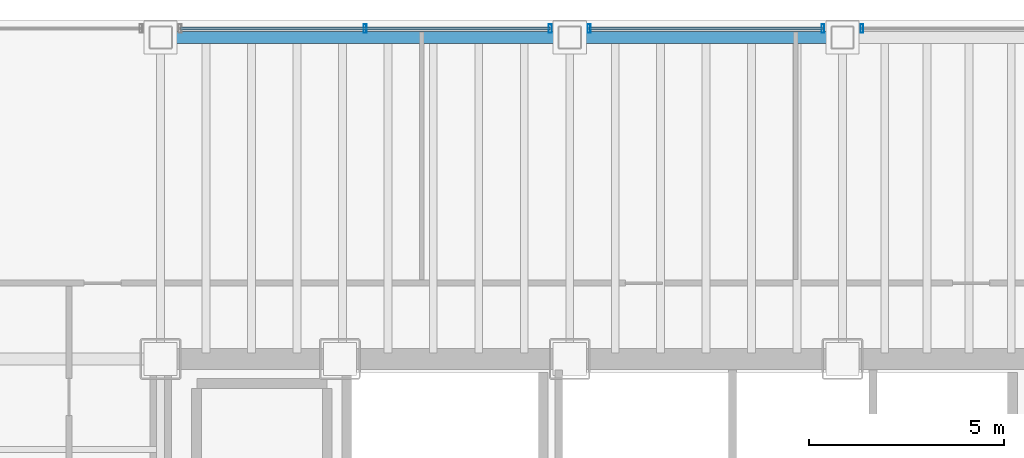
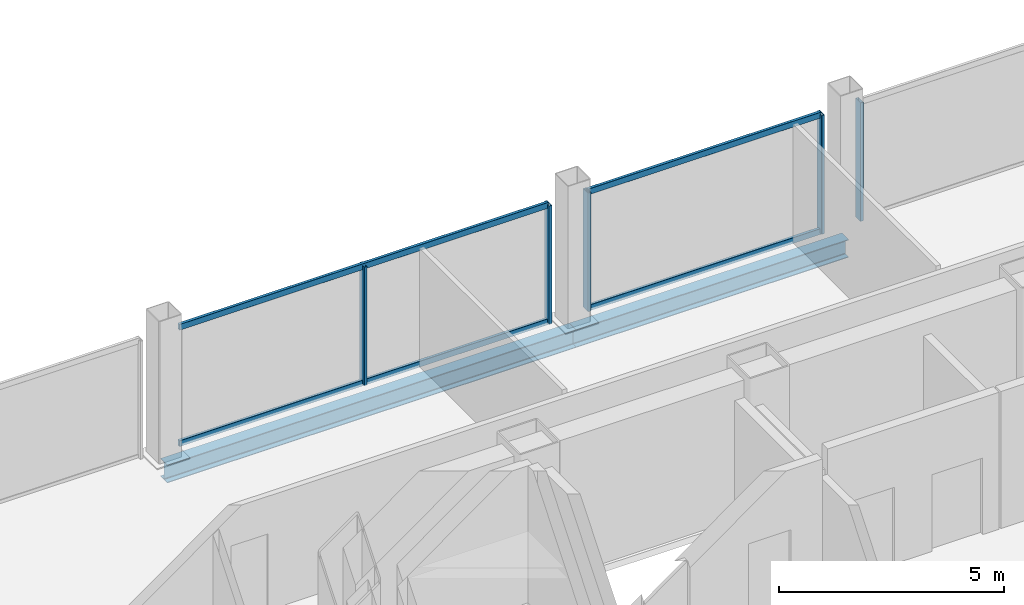
# One storey, part 15 of 21: 9 members, 2 beams, 3 elements without a shape of their own.
"""IFC4 building model written with IfcOpenShell, lengths in metres."""

from ifc_helpers import new_model, si_unit, direction, frame, origin, origin_2d, place, context, subcontext, project, spatial, hollow_rectangle, i_section, extrude, material, material_profile, profile_set, type_object, element, aggregate, save


model = new_model("IFC4")

# Units and contexts
model_context = context("Model", 3, precision=1e-05, world=origin(), true_north=direction((0.0, 1.0)))
body_context = subcontext(model_context, "Body", "Model", "MODEL_VIEW")
ifc_project = project(units=[si_unit("LENGTHUNIT", "METRE"), si_unit("AREAUNIT", "SQUARE_METRE"), si_unit("VOLUMEUNIT", "CUBIC_METRE"), si_unit("PLANEANGLEUNIT", "RADIAN"), si_unit("MASSUNIT", "GRAM", prefix="KILO")], contexts=[model_context])

# Site, building, storey
site_placement = place(None, origin())
site = spatial("IfcSite", under=ifc_project, at=site_placement, CompositionType="ELEMENT")
building_placement = place(site_placement, origin())
building = spatial("IfcBuilding", under=site, at=building_placement, Name="Noeulbin Bourse Tower", CompositionType="ELEMENT")
storey_placement = place(building_placement, frame((0.0, 0.0, 42.10009765625)))
storey = spatial("IfcBuildingStorey", under=building, at=storey_placement, Name="L10", CompositionType="ELEMENT", Elevation=42.10009765625)

# Beams
ifc_material_1 = material(Name="Steel S355", Category="steel")
ifc_material_profile_1 = material_profile(ifc_material_1, i_section(OverallWidth=0.300048828125, OverallDepth=0.488037109375, WebThickness=0.010986328125, FlangeThickness=0.01806640625, FilletRadius=0.02197265625, at=origin_2d()), Name="H-488x300x11x18", Category="LoadBearing")
ifc_profile_set_1 = profile_set([ifc_material_profile_1], Name="Steel S355")
beam_type = type_object("IfcBeamType", Name="BM-SPN-488", PredefinedType="SPANDREL", material=ifc_profile_set_1)
beam_1_placement = place(storey_placement, frame((13.5, 46.550048828125, -0.424072265625), z_axis=(1.0, 0.0, 0.0), x_axis=(0.0, 1.0, 0.0)))
element("IfcBeam", 1, at=beam_1_placement, inside=storey, type_object=beam_type, Name="North Spandrel L10-1", PredefinedType="SPANDREL", context=body_context, shape_type="SweptSolid", body=[
    extrude(i_section(OverallWidth=0.300048828125, OverallDepth=0.488037109375, WebThickness=0.010986328125, FlangeThickness=0.01806640625, FilletRadius=0.02197265625, at=origin_2d()), origin(), (0.0, 0.0, 1.0), 10.5),
])
beam_2_placement = place(storey_placement, frame((24.0, 46.550048828125, -0.424072265625), z_axis=(1.0, 0.0, 0.0), x_axis=(0.0, 1.0, 0.0)))
element("IfcBeam", 2, at=beam_2_placement, inside=storey, type_object=beam_type, Name="North Spandrel L10-2", PredefinedType="SPANDREL", context=body_context, shape_type="SweptSolid", body=[
    extrude(i_section(OverallWidth=0.300048828125, OverallDepth=0.488037109375, WebThickness=0.010986328125, FlangeThickness=0.01806640625, FilletRadius=0.02197265625, at=origin_2d()), origin(), (0.0, 0.0, 1.0), 7.0),
])

# Curtain wall, members
ifc_material_2 = material(Name="Dark Solar-Control Double Glazing", Category="glass")
curtain_wall_type = type_object("IfcCurtainWallType", Name="CW-SYS-2", PredefinedType="NOTDEFINED", material=ifc_material_2)
curtain_wall_1_placement = place(storey_placement, origin())
curtain_wall_1 = element("IfcCurtainWall", 3, at=curtain_wall_1_placement, inside=storey, type_object=curtain_wall_type, Name="Unitised Curtain Wall CW-L10-N-S2", PredefinedType="NOTDEFINED")
ifc_material_3 = material(Name="Anodised Aluminium 6063-T6", Category="aluminium")
ifc_material_profile_2 = material_profile(ifc_material_3, hollow_rectangle(XDim=0.074951171875, YDim=0.219970703125, WallThickness=0.0048828125, InnerFilletRadius=0.00244140625, OuterFilletRadius=0.0048828125, at=origin_2d()), Name="ALU-MULL-75x220x5", Category="LoadBearing")
ifc_profile_set_2 = profile_set([ifc_material_profile_2], Name="Anodised Aluminium 6063-T6")
member_type_1 = type_object("IfcMemberType", Name="CW-SYS-2-MUL", PredefinedType="MULLION", material=ifc_profile_set_2)
member_1_placement = place(storey_placement, frame((18.75, 46.780029296875, -0.02001953125), z_axis=(0.0, 0.0, 1.0), x_axis=(1.0, 0.0, 0.0)))
member_1 = element("IfcMember", 4, at=member_1_placement, type_object=member_type_1, Name="Curtain Wall Mullion CW-L10-N-S2-M01", PredefinedType="MULLION", context=body_context, shape_type="SweptSolid", body=[
    extrude(hollow_rectangle(XDim=0.074951171875, YDim=0.219970703125, WallThickness=0.0048828125, InnerFilletRadius=0.00244140625, OuterFilletRadius=0.0048828125, at=origin_2d()), origin(), (0.0, 0.0, 1.0), 3.219970703125),
])
member_2_placement = place(storey_placement, frame((23.5, 46.780029296875, -0.02001953125), z_axis=(0.0, 0.0, 1.0), x_axis=(1.0, 0.0, 0.0)))
member_2 = element("IfcMember", 5, at=member_2_placement, type_object=member_type_1, Name="Curtain Wall Mullion CW-L10-N-S2-M02", PredefinedType="MULLION", context=body_context, shape_type="SweptSolid", body=[
    extrude(hollow_rectangle(XDim=0.074951171875, YDim=0.219970703125, WallThickness=0.0048828125, InnerFilletRadius=0.00244140625, OuterFilletRadius=0.0048828125, at=origin_2d()), origin(), (0.0, 0.0, 1.0), 3.219970703125),
])

curtain_wall_2_placement = place(storey_placement, origin())
curtain_wall_2 = element("IfcCurtainWall", 6, at=curtain_wall_2_placement, inside=storey, type_object=curtain_wall_type, Name="Unitised Curtain Wall CW-L10-N-S3", PredefinedType="NOTDEFINED")
member_3_placement = place(storey_placement, frame((24.5, 46.780029296875, -0.02001953125), z_axis=(0.0, 0.0, 1.0), x_axis=(1.0, 0.0, 0.0)))
member_3 = element("IfcMember", 7, at=member_3_placement, type_object=member_type_1, Name="Curtain Wall Mullion CW-L10-N-S3-M00", PredefinedType="MULLION", context=body_context, shape_type="SweptSolid", body=[
    extrude(hollow_rectangle(XDim=0.074951171875, YDim=0.219970703125, WallThickness=0.0048828125, InnerFilletRadius=0.00244140625, OuterFilletRadius=0.0048828125, at=origin_2d()), origin(), (0.0, 0.0, 1.0), 3.219970703125),
])
member_4_placement = place(storey_placement, frame((30.5, 46.780029296875, -0.02001953125), z_axis=(0.0, 0.0, 1.0), x_axis=(1.0, 0.0, 0.0)))
member_4 = element("IfcMember", 8, at=member_4_placement, type_object=member_type_1, Name="Curtain Wall Mullion CW-L10-N-S3-M01", PredefinedType="MULLION", context=body_context, shape_type="SweptSolid", body=[
    extrude(hollow_rectangle(XDim=0.074951171875, YDim=0.219970703125, WallThickness=0.0048828125, InnerFilletRadius=0.00244140625, OuterFilletRadius=0.0048828125, at=origin_2d()), origin(), (0.0, 0.0, 1.0), 3.219970703125),
])

# Curtain wall, member
curtain_wall_3_placement = place(storey_placement, origin())
curtain_wall_3 = element("IfcCurtainWall", 9, at=curtain_wall_3_placement, inside=storey, type_object=curtain_wall_type, Name="Unitised Curtain Wall CW-L10-N-S4", PredefinedType="NOTDEFINED")
member_5_placement = place(storey_placement, frame((31.5, 46.780029296875, -0.02001953125), z_axis=(0.0, 0.0, 1.0), x_axis=(1.0, 0.0, 0.0)))
member_5 = element("IfcMember", 10, at=member_5_placement, type_object=member_type_1, Name="Curtain Wall Mullion CW-L10-N-S4-M00", PredefinedType="MULLION", context=body_context, shape_type="SweptSolid", body=[
    extrude(hollow_rectangle(XDim=0.074951171875, YDim=0.219970703125, WallThickness=0.0048828125, InnerFilletRadius=0.00244140625, OuterFilletRadius=0.0048828125, at=origin_2d()), origin(), (0.0, 0.0, 1.0), 3.219970703125),
])
aggregate(curtain_wall_3, [member_5])

# Member
ifc_material_profile_3 = material_profile(ifc_material_3, hollow_rectangle(XDim=0.074951171875, YDim=0.159912109375, WallThickness=0.0048828125, InnerFilletRadius=0.00244140625, OuterFilletRadius=0.0048828125, at=origin_2d()), Name="ALU-TRAN-75x160x5", Category="LoadBearing")
ifc_profile_set_3 = profile_set([ifc_material_profile_3], Name="Anodised Aluminium 6063-T6")
member_type_2 = type_object("IfcMemberType", Name="CW-SYS-2-TRN", PredefinedType="USERDEFINED", material=ifc_profile_set_3)
member_6_placement = place(storey_placement, frame((14.010009765625, 46.780029296875, 0.010009765625), z_axis=(1.0, 0.0, 0.0), x_axis=(0.0, 1.0, 0.0)))
member_6 = element("IfcMember", 11, at=member_6_placement, type_object=member_type_2, Name="Curtain Wall Transom CW-L10-N-S2-T00", ObjectType="TRANSOM", PredefinedType="USERDEFINED", context=body_context, shape_type="SweptSolid", body=[
    extrude(hollow_rectangle(XDim=0.074951171875, YDim=0.159912109375, WallThickness=0.0048828125, InnerFilletRadius=0.00244140625, OuterFilletRadius=0.0048828125, at=origin_2d()), origin(), (0.0, 0.0, 1.0), 9.47998046875),
])

member_7_placement = place(storey_placement, frame((14.010009765625, 46.780029296875, 3.169921875), z_axis=(1.0, 0.0, 0.0), x_axis=(0.0, 1.0, 0.0)))
member_7 = element("IfcMember", 12, at=member_7_placement, type_object=member_type_2, Name="Curtain Wall Transom CW-L10-N-S2-T01", ObjectType="TRANSOM", PredefinedType="USERDEFINED", context=body_context, shape_type="SweptSolid", body=[
    extrude(hollow_rectangle(XDim=0.074951171875, YDim=0.159912109375, WallThickness=0.0048828125, InnerFilletRadius=0.00244140625, OuterFilletRadius=0.0048828125, at=origin_2d()), origin(), (0.0, 0.0, 1.0), 9.47998046875),
])

aggregate(curtain_wall_1, [member_1, member_2, member_6, member_7])

member_8_placement = place(storey_placement, frame((24.510009765625, 46.780029296875, 0.010009765625), z_axis=(1.0, 0.0, 0.0), x_axis=(0.0, 1.0, 0.0)))
member_8 = element("IfcMember", 13, at=member_8_placement, type_object=member_type_2, Name="Curtain Wall Transom CW-L10-N-S3-T00", ObjectType="TRANSOM", PredefinedType="USERDEFINED", context=body_context, shape_type="SweptSolid", body=[
    extrude(hollow_rectangle(XDim=0.074951171875, YDim=0.159912109375, WallThickness=0.0048828125, InnerFilletRadius=0.00244140625, OuterFilletRadius=0.0048828125, at=origin_2d()), origin(), (0.0, 0.0, 1.0), 5.97998046875),
])

member_9_placement = place(storey_placement, frame((24.510009765625, 46.780029296875, 3.169921875), z_axis=(1.0, 0.0, 0.0), x_axis=(0.0, 1.0, 0.0)))
member_9 = element("IfcMember", 14, at=member_9_placement, type_object=member_type_2, Name="Curtain Wall Transom CW-L10-N-S3-T01", ObjectType="TRANSOM", PredefinedType="USERDEFINED", context=body_context, shape_type="SweptSolid", body=[
    extrude(hollow_rectangle(XDim=0.074951171875, YDim=0.159912109375, WallThickness=0.0048828125, InnerFilletRadius=0.00244140625, OuterFilletRadius=0.0048828125, at=origin_2d()), origin(), (0.0, 0.0, 1.0), 5.97998046875),
])

aggregate(curtain_wall_2, [member_3, member_4, member_8, member_9])

save(model, "model.ifc")
